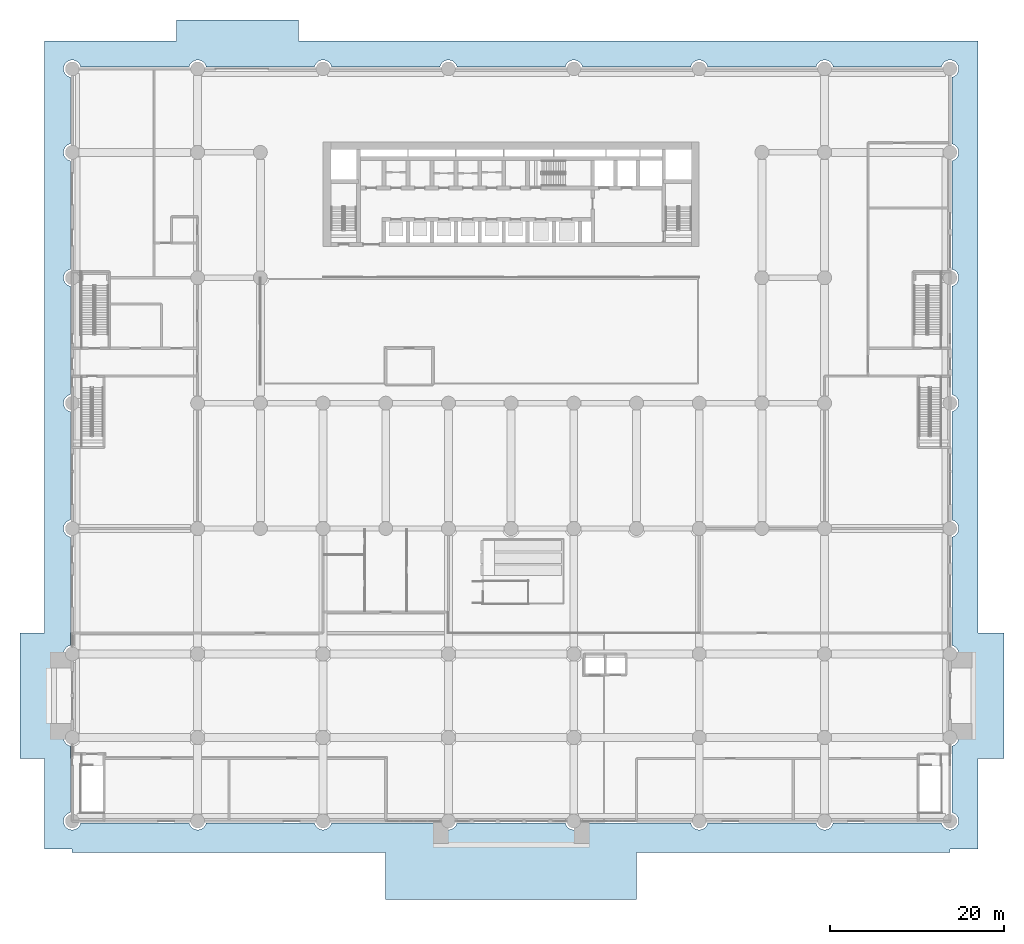
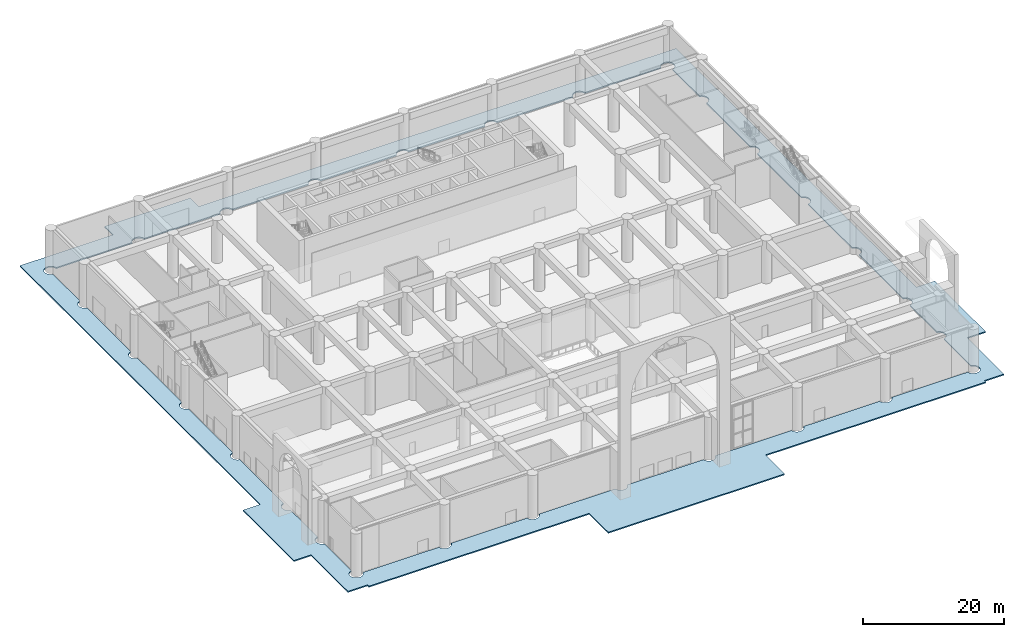
# One storey, part 10 of 32: 1 slab.
"""IFC4 building model written with IfcOpenShell, lengths in metres."""

from ifc_helpers import new_model, si_unit, direction, frame, origin, place, context, subcontext, project, spatial, polyline, outline, extrude, material, layer, layer_set, type_object, element, save


model = new_model("IFC4")

# Units and contexts
model_context = context("Model", 3, precision=1e-05, world=origin(), true_north=direction((0.0, 1.0)))
body_context = subcontext(model_context, "Body", "Model", "MODEL_VIEW")
ifc_project = project(units=[si_unit("LENGTHUNIT", "METRE"), si_unit("AREAUNIT", "SQUARE_METRE"), si_unit("VOLUMEUNIT", "CUBIC_METRE"), si_unit("PLANEANGLEUNIT", "RADIAN"), si_unit("MASSUNIT", "GRAM", prefix="KILO")], contexts=[model_context])

# Site, building, storey
site_placement = place(None, origin())
site = spatial("IfcSite", under=ifc_project, at=site_placement, CompositionType="ELEMENT")
building_placement = place(site_placement, origin())
building = spatial("IfcBuilding", under=site, at=building_placement, Name="Saffron Iwan Residences", CompositionType="ELEMENT")
storey_placement = place(building_placement, origin())
storey = spatial("IfcBuildingStorey", under=building, at=storey_placement, Name="L00", CompositionType="ELEMENT", Elevation=0.0)

# Slab
ifc_material = material(Name="Stone paving", Category="masonry")
ifc_layer = layer(ifc_material, 0.199951171875)
ifc_layer_set = layer_set([ifc_layer], Name="Stone paving")
slab_type = type_object("IfcSlabType", Name="Paving slab, precast concrete 200", PredefinedType="USERDEFINED", material=ifc_layer_set)
slab_placement = place(storey_placement, frame((0.0, 0.0, -0.2001953125)))
element("IfcSlab", 1, at=slab_placement, inside=storey, type_object=slab_type, Name="Apron paving", ObjectType="PAVING", PredefinedType="USERDEFINED", context=body_context, shape_type="SweptSolid", body=[
    extrude(outline(polyline([(36.0, -3.60009765625), (0.0, -3.60009765625), (0.0, -3.199951171875), (-3.199951171875, -3.199951171875), (-3.199951171875, 7.199951171875), (-6.0, 7.199951171875), (-6.0, 21.60009765625), (-3.199951171875, 21.60009765625), (-3.199951171875, 89.60009765625), (12.0, 89.60009765625), (12.0, 92.0), (26.0, 92.0), (26.0, 89.60009765625), (104.0, 89.60009765625), (104.0, 21.60009765625), (107.0, 21.60009765625), (107.0, 7.199951171875), (104.0, 7.199951171875), (104.0, -3.199951171875), (100.800048828125, -3.199951171875), (100.800048828125, -3.60009765625), (64.800048828125, -3.60009765625), (64.800048828125, -9.0), (36.0, -9.0), (36.0, -3.60009765625)]), holes=[polyline([(42.219970703125, -0.199951171875), (42.242919921875, -0.2900390625), (42.27587890625, -0.383056640625), (42.318115234375, -0.470947265625), (42.368896484375, -0.555908203125), (42.427001953125, -0.634033203125), (42.492919921875, -0.70703125), (42.56591796875, -0.77294921875), (42.64404296875, -0.8310546875), (42.72900390625, -0.882080078125), (42.81689453125, -0.924072265625), (42.909912109375, -0.95703125), (43.0048828125, -0.98095703125), (43.10205078125, -0.9951171875), (43.199951171875, -1.0), (43.298095703125, -0.9951171875), (43.39501953125, -0.98095703125), (43.489990234375, -0.95703125), (43.5830078125, -0.924072265625), (43.6708984375, -0.882080078125), (43.756103515625, -0.8310546875), (43.833984375, -0.77294921875), (43.906982421875, -0.70703125), (43.972900390625, -0.634033203125), (44.031005859375, -0.555908203125), (44.08203125, -0.470947265625), (44.1240234375, -0.383056640625), (44.156982421875, -0.2900390625), (44.179931640625, -0.199951171875), (56.6201171875, -0.199951171875), (56.64306640625, -0.2900390625), (56.676025390625, -0.383056640625), (56.718017578125, -0.470947265625), (56.76904296875, -0.555908203125), (56.826904296875, -0.634033203125), (56.89306640625, -0.70703125), (56.966064453125, -0.77294921875), (57.0439453125, -0.8310546875), (57.12890625, -0.882080078125), (57.217041015625, -0.924072265625), (57.31005859375, -0.95703125), (57.405029296875, -0.98095703125), (57.501953125, -0.9951171875), (57.60009765625, -1.0), (57.697998046875, -0.9951171875), (57.794921875, -0.98095703125), (57.889892578125, -0.95703125), (57.98291015625, -0.924072265625), (58.071044921875, -0.882080078125), (58.156005859375, -0.8310546875), (58.23388671875, -0.77294921875), (58.306884765625, -0.70703125), (58.373046875, -0.634033203125), (58.430908203125, -0.555908203125), (58.48193359375, -0.470947265625), (58.52392578125, -0.383056640625), (58.556884765625, -0.2900390625), (58.580078125, -0.199951171875), (64.800048828125, -0.199951171875), (71.02001953125, -0.199951171875), (71.04296875, -0.2900390625), (71.075927734375, -0.383056640625), (71.117919921875, -0.470947265625), (71.1689453125, -0.555908203125), (71.22705078125, -0.634033203125), (71.29296875, -0.70703125), (71.365966796875, -0.77294921875), (71.444091796875, -0.8310546875), (71.529052734375, -0.882080078125), (71.616943359375, -0.924072265625), (71.7099609375, -0.95703125), (71.804931640625, -0.98095703125), (71.902099609375, -0.9951171875), (72.0, -1.0), (72.097900390625, -0.9951171875), (72.195068359375, -0.98095703125), (72.2900390625, -0.95703125), (72.383056640625, -0.924072265625), (72.470947265625, -0.882080078125), (72.555908203125, -0.8310546875), (72.634033203125, -0.77294921875), (72.70703125, -0.70703125), (72.77294921875, -0.634033203125), (72.8310546875, -0.555908203125), (72.882080078125, -0.470947265625), (72.924072265625, -0.383056640625), (72.95703125, -0.2900390625), (72.97998046875, -0.199951171875), (85.419921875, -0.199951171875), (85.443115234375, -0.2900390625), (85.47607421875, -0.383056640625), (85.51806640625, -0.470947265625), (85.569091796875, -0.555908203125), (85.626953125, -0.634033203125), (85.693115234375, -0.70703125), (85.76611328125, -0.77294921875), (85.843994140625, -0.8310546875), (85.928955078125, -0.882080078125), (86.01708984375, -0.924072265625), (86.110107421875, -0.95703125), (86.205078125, -0.98095703125), (86.302001953125, -0.9951171875), (86.39990234375, -1.0), (86.498046875, -0.9951171875), (86.594970703125, -0.98095703125), (86.68994140625, -0.95703125), (86.782958984375, -0.924072265625), (86.87109375, -0.882080078125), (86.9560546875, -0.8310546875), (87.033935546875, -0.77294921875), (87.10693359375, -0.70703125), (87.173095703125, -0.634033203125), (87.23095703125, -0.555908203125), (87.281982421875, -0.470947265625), (87.323974609375, -0.383056640625), (87.35693359375, -0.2900390625), (87.3798828125, -0.199951171875), (99.820068359375, -0.199951171875), (99.843017578125, -0.2900390625), (99.8759765625, -0.383056640625), (99.91796875, -0.470947265625), (99.968994140625, -0.555908203125), (100.027099609375, -0.634033203125), (100.093017578125, -0.70703125), (100.166015625, -0.77294921875), (100.243896484375, -0.8310546875), (100.3291015625, -0.882080078125), (100.4169921875, -0.924072265625), (100.510009765625, -0.95703125), (100.60498046875, -0.98095703125), (100.701904296875, -0.9951171875), (100.800048828125, -1.0), (100.89794921875, -0.9951171875), (100.9951171875, -0.98095703125), (101.090087890625, -0.95703125), (101.18310546875, -0.924072265625), (101.27099609375, -0.882080078125), (101.35595703125, -0.8310546875), (101.43408203125, -0.77294921875), (101.507080078125, -0.70703125), (101.572998046875, -0.634033203125), (101.631103515625, -0.555908203125), (101.681884765625, -0.470947265625), (101.72412109375, -0.383056640625), (101.757080078125, -0.2900390625), (101.781005859375, -0.195068359375), (101.794921875, -0.097900390625), (101.800048828125, 0.0), (101.794921875, 0.097900390625), (101.781005859375, 0.195068359375), (101.757080078125, 0.2900390625), (101.72412109375, 0.383056640625), (101.681884765625, 0.470947265625), (101.631103515625, 0.555908203125), (101.572998046875, 0.634033203125), (101.507080078125, 0.70703125), (101.43408203125, 0.77294921875), (101.35595703125, 0.8310546875), (101.27099609375, 0.882080078125), (101.18310546875, 0.924072265625), (101.090087890625, 0.95703125), (101.0, 0.97998046875), (101.0, 7.199951171875), (101.0, 8.6201171875), (101.090087890625, 8.64306640625), (101.18310546875, 8.676025390625), (101.27099609375, 8.718017578125), (101.35595703125, 8.76904296875), (101.43408203125, 8.826904296875), (101.507080078125, 8.89306640625), (101.572998046875, 8.966064453125), (101.631103515625, 9.0439453125), (101.681884765625, 9.12890625), (101.72412109375, 9.217041015625), (101.757080078125, 9.31005859375), (101.781005859375, 9.405029296875), (101.794921875, 9.501953125), (101.800048828125, 9.60009765625), (101.794921875, 9.697998046875), (101.781005859375, 9.794921875), (101.757080078125, 9.889892578125), (101.72412109375, 9.98291015625), (101.681884765625, 10.071044921875), (101.631103515625, 10.156005859375), (101.572998046875, 10.23388671875), (101.507080078125, 10.306884765625), (101.43408203125, 10.373046875), (101.35595703125, 10.430908203125), (101.27099609375, 10.48193359375), (101.18310546875, 10.52392578125), (101.090087890625, 10.556884765625), (101.0, 10.580078125), (101.0, 18.219970703125), (101.090087890625, 18.242919921875), (101.18310546875, 18.27587890625), (101.27099609375, 18.318115234375), (101.35595703125, 18.368896484375), (101.43408203125, 18.427001953125), (101.507080078125, 18.492919921875), (101.572998046875, 18.56591796875), (101.631103515625, 18.64404296875), (101.681884765625, 18.72900390625), (101.72412109375, 18.81689453125), (101.757080078125, 18.909912109375), (101.781005859375, 19.0048828125), (101.794921875, 19.10205078125), (101.800048828125, 19.199951171875), (101.794921875, 19.298095703125), (101.781005859375, 19.39501953125), (101.757080078125, 19.489990234375), (101.72412109375, 19.5830078125), (101.681884765625, 19.6708984375), (101.631103515625, 19.756103515625), (101.572998046875, 19.833984375), (101.507080078125, 19.906982421875), (101.43408203125, 19.972900390625), (101.35595703125, 20.031005859375), (101.27099609375, 20.08203125), (101.18310546875, 20.1240234375), (101.090087890625, 20.156982421875), (101.0, 20.179931640625), (101.0, 21.60009765625), (101.0, 32.6201171875), (101.090087890625, 32.64306640625), (101.18310546875, 32.676025390625), (101.27099609375, 32.718017578125), (101.35595703125, 32.76904296875), (101.43408203125, 32.826904296875), (101.507080078125, 32.89306640625), (101.572998046875, 32.966064453125), (101.631103515625, 33.0439453125), (101.681884765625, 33.12890625), (101.72412109375, 33.217041015625), (101.757080078125, 33.31005859375), (101.781005859375, 33.405029296875), (101.794921875, 33.501953125), (101.800048828125, 33.60009765625), (101.794921875, 33.697998046875), (101.781005859375, 33.794921875), (101.757080078125, 33.889892578125), (101.72412109375, 33.98291015625), (101.681884765625, 34.071044921875), (101.631103515625, 34.156005859375), (101.572998046875, 34.23388671875), (101.507080078125, 34.306884765625), (101.43408203125, 34.373046875), (101.35595703125, 34.430908203125), (101.27099609375, 34.48193359375), (101.18310546875, 34.52392578125), (101.090087890625, 34.556884765625), (101.0, 34.580078125), (101.0, 47.02001953125), (101.090087890625, 47.04296875), (101.18310546875, 47.075927734375), (101.27099609375, 47.117919921875), (101.35595703125, 47.1689453125), (101.43408203125, 47.22705078125), (101.507080078125, 47.29296875), (101.572998046875, 47.365966796875), (101.631103515625, 47.444091796875), (101.681884765625, 47.529052734375), (101.72412109375, 47.616943359375), (101.757080078125, 47.7099609375), (101.781005859375, 47.804931640625), (101.794921875, 47.902099609375), (101.800048828125, 48.0), (101.794921875, 48.097900390625), (101.781005859375, 48.195068359375), (101.757080078125, 48.2900390625), (101.72412109375, 48.383056640625), (101.681884765625, 48.470947265625), (101.631103515625, 48.555908203125), (101.572998046875, 48.634033203125), (101.507080078125, 48.70703125), (101.43408203125, 48.77294921875), (101.35595703125, 48.8310546875), (101.27099609375, 48.882080078125), (101.18310546875, 48.924072265625), (101.090087890625, 48.95703125), (101.0, 48.97998046875), (101.0, 61.419921875), (101.090087890625, 61.443115234375), (101.18310546875, 61.47607421875), (101.27099609375, 61.51806640625), (101.35595703125, 61.569091796875), (101.43408203125, 61.626953125), (101.507080078125, 61.693115234375), (101.572998046875, 61.76611328125), (101.631103515625, 61.843994140625), (101.681884765625, 61.928955078125), (101.72412109375, 62.01708984375), (101.757080078125, 62.110107421875), (101.781005859375, 62.205078125), (101.794921875, 62.302001953125), (101.800048828125, 62.39990234375), (101.794921875, 62.498046875), (101.781005859375, 62.594970703125), (101.757080078125, 62.68994140625), (101.72412109375, 62.782958984375), (101.681884765625, 62.87109375), (101.631103515625, 62.9560546875), (101.572998046875, 63.033935546875), (101.507080078125, 63.10693359375), (101.43408203125, 63.173095703125), (101.35595703125, 63.23095703125), (101.27099609375, 63.281982421875), (101.18310546875, 63.323974609375), (101.090087890625, 63.35693359375), (101.0, 63.3798828125), (101.0, 75.820068359375), (101.090087890625, 75.843017578125), (101.18310546875, 75.8759765625), (101.27099609375, 75.91796875), (101.35595703125, 75.968994140625), (101.43408203125, 76.027099609375), (101.507080078125, 76.093017578125), (101.572998046875, 76.166015625), (101.631103515625, 76.243896484375), (101.681884765625, 76.3291015625), (101.72412109375, 76.4169921875), (101.757080078125, 76.510009765625), (101.781005859375, 76.60498046875), (101.794921875, 76.701904296875), (101.800048828125, 76.800048828125), (101.794921875, 76.89794921875), (101.781005859375, 76.9951171875), (101.757080078125, 77.090087890625), (101.72412109375, 77.18310546875), (101.681884765625, 77.27099609375), (101.631103515625, 77.35595703125), (101.572998046875, 77.43408203125), (101.507080078125, 77.507080078125), (101.43408203125, 77.572998046875), (101.35595703125, 77.631103515625), (101.27099609375, 77.681884765625), (101.18310546875, 77.72412109375), (101.090087890625, 77.757080078125), (101.0, 77.780029296875), (101.0, 85.419921875), (101.090087890625, 85.443115234375), (101.18310546875, 85.47607421875), (101.27099609375, 85.51806640625), (101.35595703125, 85.569091796875), (101.43408203125, 85.626953125), (101.507080078125, 85.693115234375), (101.572998046875, 85.76611328125), (101.631103515625, 85.843994140625), (101.681884765625, 85.928955078125), (101.72412109375, 86.01708984375), (101.757080078125, 86.110107421875), (101.781005859375, 86.205078125), (101.794921875, 86.302001953125), (101.800048828125, 86.39990234375), (101.794921875, 86.498046875), (101.781005859375, 86.594970703125), (101.757080078125, 86.68994140625), (101.72412109375, 86.782958984375), (101.681884765625, 86.87109375), (101.631103515625, 86.9560546875), (101.572998046875, 87.033935546875), (101.507080078125, 87.10693359375), (101.43408203125, 87.173095703125), (101.35595703125, 87.23095703125), (101.27099609375, 87.281982421875), (101.18310546875, 87.323974609375), (101.090087890625, 87.35693359375), (100.9951171875, 87.381103515625), (100.89794921875, 87.39501953125), (100.800048828125, 87.39990234375), (100.701904296875, 87.39501953125), (100.60498046875, 87.381103515625), (100.510009765625, 87.35693359375), (100.4169921875, 87.323974609375), (100.3291015625, 87.281982421875), (100.243896484375, 87.23095703125), (100.166015625, 87.173095703125), (100.093017578125, 87.10693359375), (100.027099609375, 87.033935546875), (99.968994140625, 86.9560546875), (99.91796875, 86.87109375), (99.8759765625, 86.782958984375), (99.843017578125, 86.68994140625), (99.820068359375, 86.60009765625), (87.3798828125, 86.60009765625), (87.35693359375, 86.68994140625), (87.323974609375, 86.782958984375), (87.281982421875, 86.87109375), (87.23095703125, 86.9560546875), (87.173095703125, 87.033935546875), (87.10693359375, 87.10693359375), (87.033935546875, 87.173095703125), (86.9560546875, 87.23095703125), (86.87109375, 87.281982421875), (86.782958984375, 87.323974609375), (86.68994140625, 87.35693359375), (86.594970703125, 87.381103515625), (86.498046875, 87.39501953125), (86.39990234375, 87.39990234375), (86.302001953125, 87.39501953125), (86.205078125, 87.381103515625), (86.110107421875, 87.35693359375), (86.01708984375, 87.323974609375), (85.928955078125, 87.281982421875), (85.843994140625, 87.23095703125), (85.76611328125, 87.173095703125), (85.693115234375, 87.10693359375), (85.626953125, 87.033935546875), (85.569091796875, 86.9560546875), (85.51806640625, 86.87109375), (85.47607421875, 86.782958984375), (85.443115234375, 86.68994140625), (85.419921875, 86.60009765625), (72.97998046875, 86.60009765625), (72.95703125, 86.68994140625), (72.924072265625, 86.782958984375), (72.882080078125, 86.87109375), (72.8310546875, 86.9560546875), (72.77294921875, 87.033935546875), (72.70703125, 87.10693359375), (72.634033203125, 87.173095703125), (72.555908203125, 87.23095703125), (72.470947265625, 87.281982421875), (72.383056640625, 87.323974609375), (72.2900390625, 87.35693359375), (72.195068359375, 87.381103515625), (72.097900390625, 87.39501953125), (72.0, 87.39990234375), (71.902099609375, 87.39501953125), (71.804931640625, 87.381103515625), (71.7099609375, 87.35693359375), (71.616943359375, 87.323974609375), (71.529052734375, 87.281982421875), (71.444091796875, 87.23095703125), (71.365966796875, 87.173095703125), (71.29296875, 87.10693359375), (71.22705078125, 87.033935546875), (71.1689453125, 86.9560546875), (71.117919921875, 86.87109375), (71.075927734375, 86.782958984375), (71.04296875, 86.68994140625), (71.02001953125, 86.60009765625), (58.580078125, 86.60009765625), (58.556884765625, 86.68994140625), (58.52392578125, 86.782958984375), (58.48193359375, 86.87109375), (58.430908203125, 86.9560546875), (58.373046875, 87.033935546875), (58.306884765625, 87.10693359375), (58.23388671875, 87.173095703125), (58.156005859375, 87.23095703125), (58.071044921875, 87.281982421875), (57.98291015625, 87.323974609375), (57.889892578125, 87.35693359375), (57.794921875, 87.381103515625), (57.697998046875, 87.39501953125), (57.60009765625, 87.39990234375), (57.501953125, 87.39501953125), (57.405029296875, 87.381103515625), (57.31005859375, 87.35693359375), (57.217041015625, 87.323974609375), (57.12890625, 87.281982421875), (57.0439453125, 87.23095703125), (56.966064453125, 87.173095703125), (56.89306640625, 87.10693359375), (56.826904296875, 87.033935546875), (56.76904296875, 86.9560546875), (56.718017578125, 86.87109375), (56.676025390625, 86.782958984375), (56.64306640625, 86.68994140625), (56.6201171875, 86.60009765625), (44.179931640625, 86.60009765625), (44.156982421875, 86.68994140625), (44.1240234375, 86.782958984375), (44.08203125, 86.87109375), (44.031005859375, 86.9560546875), (43.972900390625, 87.033935546875), (43.906982421875, 87.10693359375), (43.833984375, 87.173095703125), (43.756103515625, 87.23095703125), (43.6708984375, 87.281982421875), (43.5830078125, 87.323974609375), (43.489990234375, 87.35693359375), (43.39501953125, 87.381103515625), (43.298095703125, 87.39501953125), (43.199951171875, 87.39990234375), (43.10205078125, 87.39501953125), (43.0048828125, 87.381103515625), (42.909912109375, 87.35693359375), (42.81689453125, 87.323974609375), (42.72900390625, 87.281982421875), (42.64404296875, 87.23095703125), (42.56591796875, 87.173095703125), (42.492919921875, 87.10693359375), (42.427001953125, 87.033935546875), (42.368896484375, 86.9560546875), (42.318115234375, 86.87109375), (42.27587890625, 86.782958984375), (42.242919921875, 86.68994140625), (42.219970703125, 86.60009765625), (29.780029296875, 86.60009765625), (29.757080078125, 86.68994140625), (29.72412109375, 86.782958984375), (29.681884765625, 86.87109375), (29.631103515625, 86.9560546875), (29.572998046875, 87.033935546875), (29.507080078125, 87.10693359375), (29.43408203125, 87.173095703125), (29.35595703125, 87.23095703125), (29.27099609375, 87.281982421875), (29.18310546875, 87.323974609375), (29.090087890625, 87.35693359375), (28.9951171875, 87.381103515625), (28.89794921875, 87.39501953125), (28.800048828125, 87.39990234375), (28.701904296875, 87.39501953125), (28.60498046875, 87.381103515625), (28.510009765625, 87.35693359375), (28.4169921875, 87.323974609375), (28.3291015625, 87.281982421875), (28.243896484375, 87.23095703125), (28.166015625, 87.173095703125), (28.093017578125, 87.10693359375), (28.027099609375, 87.033935546875), (27.968994140625, 86.9560546875), (27.91796875, 86.87109375), (27.8759765625, 86.782958984375), (27.843017578125, 86.68994140625), (27.820068359375, 86.60009765625), (26.0, 86.60009765625), (26.0, 86.60009765625), (15.3798828125, 86.60009765625), (15.35693359375, 86.68994140625), (15.323974609375, 86.782958984375), (15.281982421875, 86.87109375), (15.23095703125, 86.9560546875), (15.173095703125, 87.033935546875), (15.10693359375, 87.10693359375), (15.033935546875, 87.173095703125), (14.9560546875, 87.23095703125), (14.87109375, 87.281982421875), (14.782958984375, 87.323974609375), (14.68994140625, 87.35693359375), (14.594970703125, 87.381103515625), (14.498046875, 87.39501953125), (14.39990234375, 87.39990234375), (14.302001953125, 87.39501953125), (14.205078125, 87.381103515625), (14.110107421875, 87.35693359375), (14.01708984375, 87.323974609375), (13.928955078125, 87.281982421875), (13.843994140625, 87.23095703125), (13.76611328125, 87.173095703125), (13.693115234375, 87.10693359375), (13.626953125, 87.033935546875), (13.569091796875, 86.9560546875), (13.51806640625, 86.87109375), (13.47607421875, 86.782958984375), (13.443115234375, 86.68994140625), (13.419921875, 86.60009765625), (12.0, 86.60009765625), (12.0, 86.60009765625), (0.97998046875, 86.60009765625), (0.95703125, 86.68994140625), (0.924072265625, 86.782958984375), (0.882080078125, 86.87109375), (0.8310546875, 86.9560546875), (0.77294921875, 87.033935546875), (0.70703125, 87.10693359375), (0.634033203125, 87.173095703125), (0.555908203125, 87.23095703125), (0.470947265625, 87.281982421875), (0.383056640625, 87.323974609375), (0.2900390625, 87.35693359375), (0.195068359375, 87.381103515625), (0.097900390625, 87.39501953125), (0.0, 87.39990234375), (-0.097900390625, 87.39501953125), (-0.195068359375, 87.381103515625), (-0.2900390625, 87.35693359375), (-0.383056640625, 87.323974609375), (-0.470947265625, 87.281982421875), (-0.555908203125, 87.23095703125), (-0.634033203125, 87.173095703125), (-0.70703125, 87.10693359375), (-0.77294921875, 87.033935546875), (-0.8310546875, 86.9560546875), (-0.882080078125, 86.87109375), (-0.924072265625, 86.782958984375), (-0.95703125, 86.68994140625), (-0.98095703125, 86.594970703125), (-0.9951171875, 86.498046875), (-1.0, 86.39990234375), (-0.9951171875, 86.302001953125), (-0.98095703125, 86.205078125), (-0.95703125, 86.110107421875), (-0.924072265625, 86.01708984375), (-0.882080078125, 85.928955078125), (-0.8310546875, 85.843994140625), (-0.77294921875, 85.76611328125), (-0.70703125, 85.693115234375), (-0.634033203125, 85.626953125), (-0.555908203125, 85.569091796875), (-0.470947265625, 85.51806640625), (-0.383056640625, 85.47607421875), (-0.2900390625, 85.443115234375), (-0.199951171875, 85.419921875), (-0.199951171875, 77.780029296875), (-0.2900390625, 77.757080078125), (-0.383056640625, 77.72412109375), (-0.470947265625, 77.681884765625), (-0.555908203125, 77.631103515625), (-0.634033203125, 77.572998046875), (-0.70703125, 77.507080078125), (-0.77294921875, 77.43408203125), (-0.8310546875, 77.35595703125), (-0.882080078125, 77.27099609375), (-0.924072265625, 77.18310546875), (-0.95703125, 77.090087890625), (-0.98095703125, 76.9951171875), (-0.9951171875, 76.89794921875), (-1.0, 76.800048828125), (-0.9951171875, 76.701904296875), (-0.98095703125, 76.60498046875), (-0.95703125, 76.510009765625), (-0.924072265625, 76.4169921875), (-0.882080078125, 76.3291015625), (-0.8310546875, 76.243896484375), (-0.77294921875, 76.166015625), (-0.70703125, 76.093017578125), (-0.634033203125, 76.027099609375), (-0.555908203125, 75.968994140625), (-0.470947265625, 75.91796875), (-0.383056640625, 75.8759765625), (-0.2900390625, 75.843017578125), (-0.199951171875, 75.820068359375), (-0.199951171875, 63.3798828125), (-0.2900390625, 63.35693359375), (-0.383056640625, 63.323974609375), (-0.470947265625, 63.281982421875), (-0.555908203125, 63.23095703125), (-0.634033203125, 63.173095703125), (-0.70703125, 63.10693359375), (-0.77294921875, 63.033935546875), (-0.8310546875, 62.9560546875), (-0.882080078125, 62.87109375), (-0.924072265625, 62.782958984375), (-0.95703125, 62.68994140625), (-0.98095703125, 62.594970703125), (-0.9951171875, 62.498046875), (-1.0, 62.39990234375), (-0.9951171875, 62.302001953125), (-0.98095703125, 62.205078125), (-0.95703125, 62.110107421875), (-0.924072265625, 62.01708984375), (-0.882080078125, 61.928955078125), (-0.8310546875, 61.843994140625), (-0.77294921875, 61.76611328125), (-0.70703125, 61.693115234375), (-0.634033203125, 61.626953125), (-0.555908203125, 61.569091796875), (-0.470947265625, 61.51806640625), (-0.383056640625, 61.47607421875), (-0.2900390625, 61.443115234375), (-0.199951171875, 61.419921875), (-0.199951171875, 48.97998046875), (-0.2900390625, 48.95703125), (-0.383056640625, 48.924072265625), (-0.470947265625, 48.882080078125), (-0.555908203125, 48.8310546875), (-0.634033203125, 48.77294921875), (-0.70703125, 48.70703125), (-0.77294921875, 48.634033203125), (-0.8310546875, 48.555908203125), (-0.882080078125, 48.470947265625), (-0.924072265625, 48.383056640625), (-0.95703125, 48.2900390625), (-0.98095703125, 48.195068359375), (-0.9951171875, 48.097900390625), (-1.0, 48.0), (-0.9951171875, 47.902099609375), (-0.98095703125, 47.804931640625), (-0.95703125, 47.7099609375), (-0.924072265625, 47.616943359375), (-0.882080078125, 47.529052734375), (-0.8310546875, 47.444091796875), (-0.77294921875, 47.365966796875), (-0.70703125, 47.29296875), (-0.634033203125, 47.22705078125), (-0.555908203125, 47.1689453125), (-0.470947265625, 47.117919921875), (-0.383056640625, 47.075927734375), (-0.2900390625, 47.04296875), (-0.199951171875, 47.02001953125), (-0.199951171875, 34.580078125), (-0.2900390625, 34.556884765625), (-0.383056640625, 34.52392578125), (-0.470947265625, 34.48193359375), (-0.555908203125, 34.430908203125), (-0.634033203125, 34.373046875), (-0.70703125, 34.306884765625), (-0.77294921875, 34.23388671875), (-0.8310546875, 34.156005859375), (-0.882080078125, 34.071044921875), (-0.924072265625, 33.98291015625), (-0.95703125, 33.889892578125), (-0.98095703125, 33.794921875), (-0.9951171875, 33.697998046875), (-1.0, 33.60009765625), (-0.9951171875, 33.501953125), (-0.98095703125, 33.405029296875), (-0.95703125, 33.31005859375), (-0.924072265625, 33.217041015625), (-0.882080078125, 33.12890625), (-0.8310546875, 33.0439453125), (-0.77294921875, 32.966064453125), (-0.70703125, 32.89306640625), (-0.634033203125, 32.826904296875), (-0.555908203125, 32.76904296875), (-0.470947265625, 32.718017578125), (-0.383056640625, 32.676025390625), (-0.2900390625, 32.64306640625), (-0.199951171875, 32.6201171875), (-0.199951171875, 21.60009765625), (-0.199951171875, 20.179931640625), (-0.2900390625, 20.156982421875), (-0.383056640625, 20.1240234375), (-0.470947265625, 20.08203125), (-0.555908203125, 20.031005859375), (-0.634033203125, 19.972900390625), (-0.70703125, 19.906982421875), (-0.77294921875, 19.833984375), (-0.8310546875, 19.756103515625), (-0.882080078125, 19.6708984375), (-0.924072265625, 19.5830078125), (-0.95703125, 19.489990234375), (-0.98095703125, 19.39501953125), (-0.9951171875, 19.298095703125), (-1.0, 19.199951171875), (-0.9951171875, 19.10205078125), (-0.98095703125, 19.0048828125), (-0.95703125, 18.909912109375), (-0.924072265625, 18.81689453125), (-0.882080078125, 18.72900390625), (-0.8310546875, 18.64404296875), (-0.77294921875, 18.56591796875), (-0.70703125, 18.492919921875), (-0.634033203125, 18.427001953125), (-0.555908203125, 18.368896484375), (-0.470947265625, 18.318115234375), (-0.383056640625, 18.27587890625), (-0.2900390625, 18.242919921875), (-0.199951171875, 18.219970703125), (-0.199951171875, 10.580078125), (-0.2900390625, 10.556884765625), (-0.383056640625, 10.52392578125), (-0.470947265625, 10.48193359375), (-0.555908203125, 10.430908203125), (-0.634033203125, 10.373046875), (-0.70703125, 10.306884765625), (-0.77294921875, 10.23388671875), (-0.8310546875, 10.156005859375), (-0.882080078125, 10.071044921875), (-0.924072265625, 9.98291015625), (-0.95703125, 9.889892578125), (-0.98095703125, 9.794921875), (-0.9951171875, 9.697998046875), (-1.0, 9.60009765625), (-0.9951171875, 9.501953125), (-0.98095703125, 9.405029296875), (-0.95703125, 9.31005859375), (-0.924072265625, 9.217041015625), (-0.882080078125, 9.12890625), (-0.8310546875, 9.0439453125), (-0.77294921875, 8.966064453125), (-0.70703125, 8.89306640625), (-0.634033203125, 8.826904296875), (-0.555908203125, 8.76904296875), (-0.470947265625, 8.718017578125), (-0.383056640625, 8.676025390625), (-0.2900390625, 8.64306640625), (-0.199951171875, 8.6201171875), (-0.199951171875, 7.199951171875), (-0.199951171875, 0.97998046875), (-0.2900390625, 0.95703125), (-0.383056640625, 0.924072265625), (-0.470947265625, 0.882080078125), (-0.555908203125, 0.8310546875), (-0.634033203125, 0.77294921875), (-0.70703125, 0.70703125), (-0.77294921875, 0.634033203125), (-0.8310546875, 0.555908203125), (-0.882080078125, 0.470947265625), (-0.924072265625, 0.383056640625), (-0.95703125, 0.2900390625), (-0.98095703125, 0.195068359375), (-0.9951171875, 0.097900390625), (-1.0, 0.0), (-0.9951171875, -0.097900390625), (-0.98095703125, -0.195068359375), (-0.95703125, -0.2900390625), (-0.924072265625, -0.383056640625), (-0.882080078125, -0.470947265625), (-0.8310546875, -0.555908203125), (-0.77294921875, -0.634033203125), (-0.70703125, -0.70703125), (-0.634033203125, -0.77294921875), (-0.555908203125, -0.8310546875), (-0.470947265625, -0.882080078125), (-0.383056640625, -0.924072265625), (-0.2900390625, -0.95703125), (-0.195068359375, -0.98095703125), (-0.097900390625, -0.9951171875), (0.0, -1.0), (0.097900390625, -0.9951171875), (0.195068359375, -0.98095703125), (0.2900390625, -0.95703125), (0.383056640625, -0.924072265625), (0.470947265625, -0.882080078125), (0.555908203125, -0.8310546875), (0.634033203125, -0.77294921875), (0.70703125, -0.70703125), (0.77294921875, -0.634033203125), (0.8310546875, -0.555908203125), (0.882080078125, -0.470947265625), (0.924072265625, -0.383056640625), (0.95703125, -0.2900390625), (0.97998046875, -0.199951171875), (13.419921875, -0.199951171875), (13.443115234375, -0.2900390625), (13.47607421875, -0.383056640625), (13.51806640625, -0.470947265625), (13.569091796875, -0.555908203125), (13.626953125, -0.634033203125), (13.693115234375, -0.70703125), (13.76611328125, -0.77294921875), (13.843994140625, -0.8310546875), (13.928955078125, -0.882080078125), (14.01708984375, -0.924072265625), (14.110107421875, -0.95703125), (14.205078125, -0.98095703125), (14.302001953125, -0.9951171875), (14.39990234375, -1.0), (14.498046875, -0.9951171875), (14.594970703125, -0.98095703125), (14.68994140625, -0.95703125), (14.782958984375, -0.924072265625), (14.87109375, -0.882080078125), (14.9560546875, -0.8310546875), (15.033935546875, -0.77294921875), (15.10693359375, -0.70703125), (15.173095703125, -0.634033203125), (15.23095703125, -0.555908203125), (15.281982421875, -0.470947265625), (15.323974609375, -0.383056640625), (15.35693359375, -0.2900390625), (15.3798828125, -0.199951171875), (27.820068359375, -0.199951171875), (27.843017578125, -0.2900390625), (27.8759765625, -0.383056640625), (27.91796875, -0.470947265625), (27.968994140625, -0.555908203125), (28.027099609375, -0.634033203125), (28.093017578125, -0.70703125), (28.166015625, -0.77294921875), (28.243896484375, -0.8310546875), (28.3291015625, -0.882080078125), (28.4169921875, -0.924072265625), (28.510009765625, -0.95703125), (28.60498046875, -0.98095703125), (28.701904296875, -0.9951171875), (28.800048828125, -1.0), (28.89794921875, -0.9951171875), (28.9951171875, -0.98095703125), (29.090087890625, -0.95703125), (29.18310546875, -0.924072265625), (29.27099609375, -0.882080078125), (29.35595703125, -0.8310546875), (29.43408203125, -0.77294921875), (29.507080078125, -0.70703125), (29.572998046875, -0.634033203125), (29.631103515625, -0.555908203125), (29.681884765625, -0.470947265625), (29.72412109375, -0.383056640625), (29.757080078125, -0.2900390625), (29.780029296875, -0.199951171875), (36.0, -0.199951171875), (42.219970703125, -0.199951171875)])]), origin(), (0.0, 0.0, 1.0), 0.2001953125),
])

save(model, "model.ifc")
